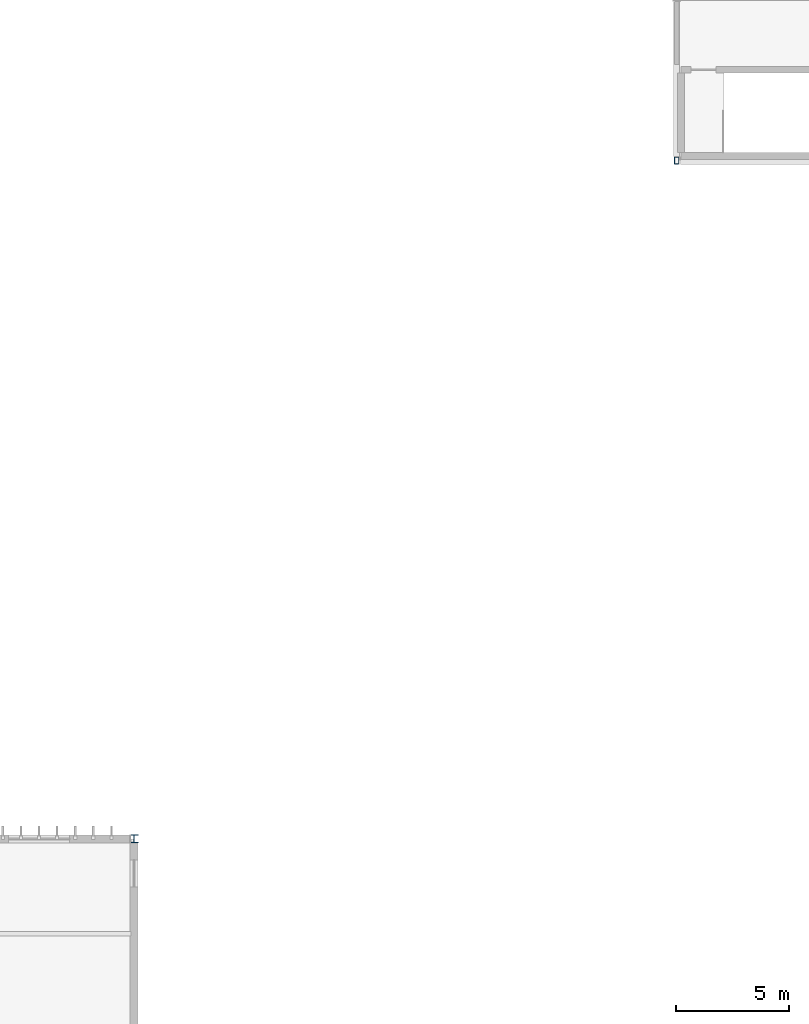
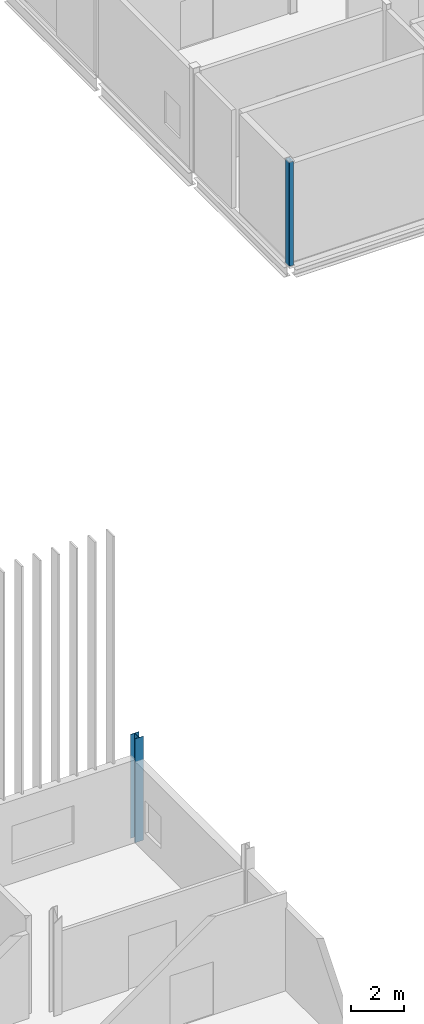
# One storey, part 7 of 72: 2 columns.
"""IFC4 building model written with IfcOpenShell, lengths in metres."""

from ifc_helpers import new_model, si_unit, direction, frame, origin, origin_2d, place, context, subcontext, project, spatial, hollow_rectangle, i_section, extrude, material, material_profile, profile_set, type_object, element, save


model = new_model("IFC4")

# Units and contexts
model_context = context("Model", 3, precision=1e-05, world=origin(), true_north=direction((0.0, 1.0)))
body_context = subcontext(model_context, "Body", "Model", "MODEL_VIEW")
ifc_project = project(units=[si_unit("LENGTHUNIT", "METRE"), si_unit("AREAUNIT", "SQUARE_METRE"), si_unit("VOLUMEUNIT", "CUBIC_METRE"), si_unit("PLANEANGLEUNIT", "RADIAN"), si_unit("MASSUNIT", "GRAM", prefix="KILO")], contexts=[model_context])

# Site, building, storey
site_placement = place(None, origin())
site = spatial("IfcSite", under=ifc_project, at=site_placement, CompositionType="ELEMENT")
building_placement = place(site_placement, origin())
building = spatial("IfcBuilding", under=site, at=building_placement, Name="Calvrana Isthmian Art Gallery", CompositionType="ELEMENT")
storey_placement = place(building_placement, frame((0.0, 0.0, 15.0)))
storey = spatial("IfcBuildingStorey", under=building, at=storey_placement, Name="L03", CompositionType="ELEMENT", Elevation=15.0)

# Columns
ifc_material_1 = material(Name="Steel ASTM A500 Gr C", Category="steel")
ifc_material_profile_1 = material_profile(ifc_material_1, hollow_rectangle(XDim=0.203125, YDim=0.3046875, WallThickness=0.0126953125, OuterFilletRadius=0.02490234375, at=origin_2d()), Name="HSS305X203X12.7")
ifc_profile_set_1 = profile_set([ifc_material_profile_1], Name="Steel ASTM A500 Gr C")
column_type_1 = type_object("IfcColumnType", Name="COL-STL-HSS305X203X12.7", PredefinedType="COLUMN", material=ifc_profile_set_1)
column_1_placement = place(storey_placement, frame((104.39990234375, 76.800048828125, 0.0), z_axis=(0.0, 0.0, 1.0), x_axis=(1.0, 0.0, 0.0)))
element("IfcColumn", 1, at=column_1_placement, inside=storey, type_object=column_type_1, Name="Column 14/K L03", PredefinedType="COLUMN", context=body_context, shape_type="SweptSolid", body=[
    extrude(hollow_rectangle(XDim=0.203125, YDim=0.3046875, WallThickness=0.0126953125, OuterFilletRadius=0.02490234375, at=origin_2d()), origin(), (0.0, 0.0, 1.0), 4.800048828125),
])
ifc_material_2 = material(Name="Steel ASTM A992 Gr 50", Category="steel")
ifc_material_profile_2 = material_profile(ifc_material_2, i_section(OverallWidth=0.367919921875, OverallDepth=0.35595703125, WebThickness=0.01123046875, FlangeThickness=0.01806640625, FilletRadius=0.02490234375, at=origin_2d()), Name="W14X90")
ifc_profile_set_2 = profile_set([ifc_material_profile_2], Name="Steel ASTM A992 Gr 50")
column_type_2 = type_object("IfcColumnType", Name="COL-STL-W14X90", PredefinedType="COLUMN", material=ifc_profile_set_2)
column_2_placement = place(storey_placement, frame((80.39990234375, 46.800048828125, 0.0), z_axis=(0.0, 0.0, 1.0), x_axis=(1.0, 0.0, 0.0)))
element("IfcColumn", 2, at=column_2_placement, inside=storey, type_object=column_type_2, Name="Column 11/G L03", PredefinedType="COLUMN", context=body_context, shape_type="SweptSolid", body=[
    extrude(i_section(OverallWidth=0.367919921875, OverallDepth=0.35595703125, WebThickness=0.01123046875, FlangeThickness=0.01806640625, FilletRadius=0.02490234375, at=origin_2d()), origin(), (0.0, 0.0, 1.0), 4.800048828125),
])

save(model, "model.ifc")
